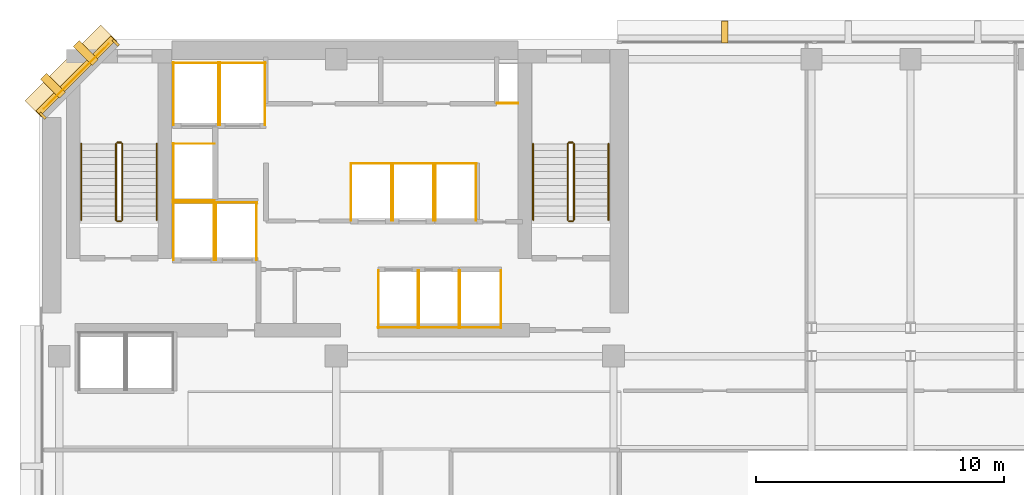
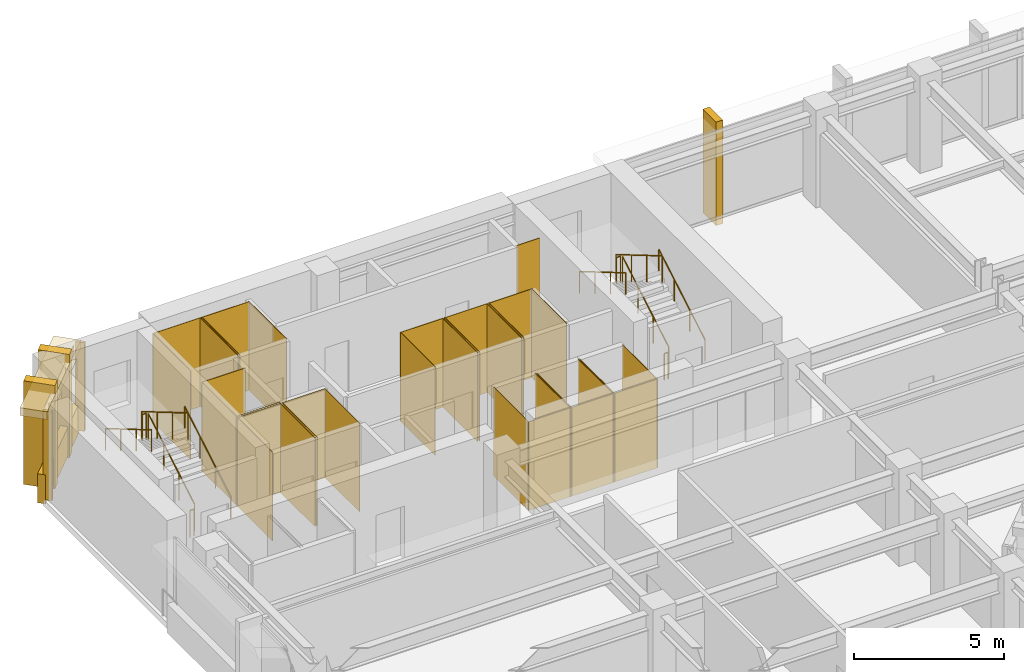
# One storey, part 10 of 11: 42 coverings, 12 railings.
"""IFC4 building model written with IfcOpenShell, lengths in metres."""

import ifcopenshell
import ifcopenshell.guid

model = None  # the IFC model being written
_history = None  # IfcOwnerHistory: only IFC2X3 demands one
_inside = {}  # id of a spatial element -> (the spatial element, [elements in it])
_under = {}  # id of a project, library or spatial element -> (it, [spatial elements below it])
_declared = {}  # id of a project -> (the project, [libraries it declares])
_typed = {}  # id of a type object -> (the type object, [elements of that type])
_made_of = {}  # id of a material, layer set ... -> (it, [elements and type objects made of it])


def new_model(schema):
    """Start an empty IFC model of exactly this schema.

    Asked for "IFC4X3", IfcOpenShell would pick the latest addendum, in which some entities
    have other attributes; the version numbers below select the first issue.
    IFC2X3 requires an IfcOwnerHistory on every rooted entity: one is made here for all.
    """
    global model, _history
    if schema == "IFC4X3":
        model = ifcopenshell.file(schema_version=(4, 3, 0, 0))
    else:
        model = ifcopenshell.file(schema=schema)
    _inside.clear()
    _under.clear()
    _declared.clear()
    _typed.clear()
    _made_of.clear()
    _history = None
    if model.schema == "IFC2X3":
        org = make("IfcOrganization", Name="unknown")
        user = make(
            "IfcPersonAndOrganization",
            ThePerson=make("IfcPerson", FamilyName="unknown"),
            TheOrganization=org,
        )
        app = make(
            "IfcApplication",
            ApplicationDeveloper=org,
            Version="unknown",
            ApplicationFullName="unknown",
            ApplicationIdentifier="unknown",
        )
        _history = make(
            "IfcOwnerHistory",
            OwningUser=user,
            OwningApplication=app,
            ChangeAction="ADDED",
            CreationDate=0,
        )
    return model


def make(cls, **values):
    """One entity of the class cls with the attributes given. An attribute that is None is left unset."""
    return model.create_entity(
        cls, **{name: value for name, value in values.items() if value is not None}
    )


def rooted(cls, **values):
    """An entity with a GlobalId (a new one), such as an element, a storey or a relation."""
    return make(cls, GlobalId=ifcopenshell.guid.new(), OwnerHistory=_history, **values)


def si_unit(unit_type, name, prefix=None):
    """IfcSIUnit, for example si_unit("LENGTHUNIT", "METRE", prefix="MILLI")."""
    return make("IfcSIUnit", UnitType=unit_type, Prefix=prefix, Name=name)


def assignment(units):
    """IfcUnitAssignment: the units of a project."""
    return None if units is None else make("IfcUnitAssignment", Units=units)


def point(xyz):
    """IfcCartesianPoint."""
    return None if xyz is None else make("IfcCartesianPoint", Coordinates=xyz)


def direction(xyz):
    """IfcDirection."""
    return None if xyz is None else make("IfcDirection", DirectionRatios=xyz)


def frame(location, z_axis=None, x_axis=None):
    """IfcAxis2Placement3D, a coordinate frame: its origin and axes. An axis left out is left unset."""
    return make(
        "IfcAxis2Placement3D",
        Location=point(location),
        Axis=direction(z_axis),
        RefDirection=direction(x_axis),
    )


def frame_2d(location, x_axis=None):
    """IfcAxis2Placement2D, a coordinate frame in the plane: its origin and x axis."""
    return make(
        "IfcAxis2Placement2D", Location=point(location), RefDirection=direction(x_axis)
    )


def origin():
    """The frame at (0, 0, 0) with its axes left unset."""
    return frame((0.0, 0.0, 0.0))


def origin_2d():
    """The frame at (0, 0) in the plane with its x axis left unset."""
    return frame_2d((0.0, 0.0))


def place(relative_to, where):
    """IfcLocalPlacement: puts the frame where relative to a parent placement (None: the world)."""
    return make(
        "IfcLocalPlacement", PlacementRelTo=relative_to, RelativePlacement=where
    )


def context(
    kind, dimensions, precision=None, world=None, true_north=None, identifier=None
):
    """IfcGeometricRepresentationContext, for example the 3D "Model" context."""
    return make(
        "IfcGeometricRepresentationContext",
        ContextIdentifier=identifier,
        ContextType=kind,
        CoordinateSpaceDimension=dimensions,
        Precision=precision,
        WorldCoordinateSystem=world,
        TrueNorth=true_north,
    )


def subcontext(parent, identifier, kind, view, scale=None):
    """IfcGeometricRepresentationSubContext, for example "Body" below "Model"."""
    return make(
        "IfcGeometricRepresentationSubContext",
        ContextIdentifier=identifier,
        ContextType=kind,
        ParentContext=parent,
        TargetScale=scale,
        TargetView=view,
    )


def project(units=None, contexts=None):
    """IfcProject with its units and contexts."""
    return rooted(
        "IfcProject",
        Name="project",
        RepresentationContexts=contexts,
        UnitsInContext=assignment(units),
    )


def spatial(cls, under=None, at=None, **own):
    """A site, building, storey or space (cls), placed at a placement, below another one or the project."""
    s = rooted(cls, ObjectPlacement=at, **own)
    if under is not None:
        _under.setdefault(under.id(), (under, []))[1].append(s)
    return s


def polyline(points):
    """IfcPolyline through the points."""
    return make("IfcPolyline", Points=[point(p) for p in points])


def profile(cls, at=None, kind="AREA", **sizes):
    """A parametric profile (cls). Its sizes go by their IFC names, for example OverallWidth=200.0."""
    return make(cls, ProfileType=kind, Position=at, **sizes)


def rectangle(**sizes):
    """IfcRectangleProfileDef."""
    return profile("IfcRectangleProfileDef", **sizes)


def circle(**sizes):
    """IfcCircleProfileDef."""
    return profile("IfcCircleProfileDef", **sizes)


def outline(outer, holes=None, kind="AREA"):
    """IfcArbitraryClosedProfileDef: a profile drawn as a closed curve; with holes, ...WithVoids."""
    if holes is None:
        return make("IfcArbitraryClosedProfileDef", ProfileType=kind, OuterCurve=outer)
    return make(
        "IfcArbitraryProfileDefWithVoids",
        ProfileType=kind,
        OuterCurve=outer,
        InnerCurves=holes,
    )


def extrude(swept, where, along, depth):
    """IfcExtrudedAreaSolid: the profile swept, set in the frame where, extruded along a direction by depth."""
    return make(
        "IfcExtrudedAreaSolid",
        SweptArea=swept,
        Position=where,
        ExtrudedDirection=direction(along),
        Depth=depth,
    )


def shape(context_of_items, identifier, shape_type, items):
    """IfcShapeRepresentation: the items that make up one representation, for example the "Body"."""
    return make(
        "IfcShapeRepresentation",
        ContextOfItems=context_of_items,
        RepresentationIdentifier=identifier,
        RepresentationType=shape_type,
        Items=items,
    )


def material(Name=None, Category=None):
    """IfcMaterial."""
    return make("IfcMaterial", Name=Name, Category=Category)


def layer(
    of_material, thickness, ventilated=None, Name=None, Category=None, Priority=None
):
    """IfcMaterialLayer: one layer of a wall or slab, of a material (None: an air gap)."""
    return make(
        "IfcMaterialLayer",
        Material=of_material,
        LayerThickness=thickness,
        IsVentilated=ventilated,
        Name=Name,
        Category=Category,
        Priority=Priority,
    )


def layer_set(layers, Name=None):
    """IfcMaterialLayerSet."""
    return make("IfcMaterialLayerSet", MaterialLayers=layers, LayerSetName=Name)


def made_of(thing, what):
    """Note that an element or type object is made of a material, layer set ...; save() writes the relation."""
    if what is not None:
        _made_of.setdefault(what.id(), (what, []))[1].append(thing)
    return thing


def type_object(cls, material=None, **own):
    """A type object (cls), such as IfcWallType, which elements share."""
    return made_of(rooted(cls, **own), material)


def element(
    cls,
    number,
    at=None,
    inside=None,
    cuts=None,
    type_object=None,
    material=None,
    context=None,
    identifier="Body",
    shape_type=None,
    held_by="IfcProductDefinitionShape",
    body=None,
    shapes=None,
    **own,
):
    """One element of the class cls, such as IfcWall. Its Tag is "e" and its number.

    at: its placement. inside: the storey or other place that contains it. cuts: it is an
    opening in that element (IfcRelVoidsElement). A single representation is given by context,
    identifier, shape_type and body (its items); several are given by shapes. held_by: the class
    of the entity that holds the representations. save() writes the other relations.
    """
    e = rooted(cls, Tag="e%d" % number, ObjectPlacement=at, **own)
    if body is not None:
        shapes = [shape(context, identifier, shape_type, body)]
    if shapes is not None:
        e.Representation = make(held_by, Representations=shapes)
    if inside is not None:
        _inside.setdefault(inside.id(), (inside, []))[1].append(e)
    if cuts is not None:
        rooted(
            "IfcRelVoidsElement", RelatingBuildingElement=cuts, RelatedOpeningElement=e
        )
    if type_object is not None:
        _typed.setdefault(type_object.id(), (type_object, []))[1].append(e)
    return made_of(e, material)


def aggregate(whole, parts):
    """IfcRelAggregates: a whole, such as a stair, and the parts it consists of."""
    return rooted("IfcRelAggregates", RelatingObject=whole, RelatedObjects=parts)


def save(model, path):
    """Write the relations noted so far, then the file.

    IfcRelAggregates (storeys below a building ...), IfcRelContainedInSpatialStructure (elements
    in a storey), IfcRelDefinesByType, IfcRelAssociatesMaterial and IfcRelDeclares: one each for
    every whole, place, type object, material and project.
    """
    for whole, parts in _under.values():
        aggregate(whole, parts)
    for where, things in _inside.values():
        rooted(
            "IfcRelContainedInSpatialStructure",
            RelatedElements=things,
            RelatingStructure=where,
        )
    for kind, things in _typed.values():
        rooted("IfcRelDefinesByType", RelatedObjects=things, RelatingType=kind)
    for what, things in _made_of.values():
        rooted("IfcRelAssociatesMaterial", RelatedObjects=things, RelatingMaterial=what)
    for by, libraries in _declared.values():
        rooted("IfcRelDeclares", RelatingContext=by, RelatedDefinitions=libraries)
    model.write(path)


model = new_model("IFC4")

# Units and contexts
model_context = context("Model", 3, precision=1e-05, world=origin(), true_north=direction((0.0, 1.0)))
body_context = subcontext(model_context, "Body", "Model", "MODEL_VIEW")
ifc_project = project(units=[si_unit("LENGTHUNIT", "METRE"), si_unit("AREAUNIT", "SQUARE_METRE"), si_unit("VOLUMEUNIT", "CUBIC_METRE"), si_unit("PLANEANGLEUNIT", "RADIAN"), si_unit("MASSUNIT", "GRAM", prefix="KILO")], contexts=[model_context])

# Site, building, storey
site_placement = place(None, origin())
site = spatial("IfcSite", under=ifc_project, at=site_placement, CompositionType="ELEMENT")
building_placement = place(site_placement, origin())
building = spatial("IfcBuilding", under=site, at=building_placement, Name="Kefirva Bronze Tower", CompositionType="ELEMENT")
storey_placement = place(building_placement, frame((0.0, 0.0, 170.610107421875)))
storey = spatial("IfcBuildingStorey", under=building, at=storey_placement, Name="L41", CompositionType="ELEMENT", Elevation=170.610107421875)

# Coverings
ifc_material_1 = material(Name="Bronze anodised aluminium", Category="aluminium")
ifc_layer_1 = layer(ifc_material_1, 0.02001953125, Name="Bronze anodised aluminium")
ifc_layer_set_1 = layer_set([ifc_layer_1], Name="Bronze anodised aluminium")
covering_type_1 = type_object("IfcCoveringType", Name="Anodised Bronze Spandrel Cladding 20mm", PredefinedType="CLADDING", material=ifc_layer_set_1)
covering_1_placement = place(storey_placement, frame((1.492919921875, 44.507080078125, 3.18994140625), z_axis=(0.0, 0.0, 1.0), x_axis=(-0.707106781187, -0.707106781187, 0.0)))
element("IfcCovering", 1, at=covering_1_placement, inside=storey, type_object=covering_type_1, Name="L41 Bronze Spandrel Cladding 5", PredefinedType="CLADDING", context=body_context, shape_type="SweptSolid", body=[
    extrude(rectangle(XDim=3.719482421875, YDim=0.02001953125, at=origin_2d()), origin(), (0.0, 0.0, 1.0), 0.39990234375),
])
for number, where, z_axis, x_axis, name in (
    (2, (3.08837890625, 45.862060546875, 0.0), (0.0, 0.0, 1.0), (-0.707106781187, -0.707106781187, 0.0), "L41 Facade Joint Closure Panel 5S"),
    (3, (0.137939453125, 42.91162109375, 0.0), (0.0, 0.0, 1.0), (-0.707106781187, -0.707106781187, 0.0), "L41 Facade Joint Closure Panel 5E"),
):
    element("IfcCovering", number, at=place(storey_placement, frame(where, z_axis=z_axis, x_axis=x_axis)), inside=storey, type_object=covering_type_1, Name=name, PredefinedType="CLADDING", context=body_context, shape_type="SweptSolid", body=[
        extrude(rectangle(XDim=0.10009765625, YDim=0.320068359375, at=origin_2d()), origin(), (0.0, 0.0, 1.0), 3.610107421875),
    ])
covering_2_placement = place(storey_placement, frame((1.4716796875, 44.5283203125, -0.16015625), z_axis=(0.0, 0.0, 1.0), x_axis=(-0.707106781187, -0.707106781187, 0.0)))
element("IfcCovering", 4, at=covering_2_placement, inside=storey, type_object=covering_type_1, Name="L41 Streamline Horizontal Spandrel Band 9", PredefinedType="CLADDING", context=body_context, shape_type="SweptSolid", body=[
    extrude(rectangle(XDim=4.28271484375, YDim=0.280029296875, at=origin_2d()), origin(), (0.0, 0.0, 1.0), 1.179931640625),
])
covering_3_placement = place(storey_placement, origin())
element("IfcCovering", 5, at=covering_3_placement, inside=storey, type_object=covering_type_1, Name="L41 Lift FF1 Hoistway Liner N", PredefinedType="CLADDING", context=body_context, shape_type="SweptSolid", body=[
    extrude(outline(polyline([(5.39990234375, 39.389892578125), (7.080078125, 39.389892578125), (7.080078125, 39.409912109375), (5.39990234375, 39.409912109375), (5.39990234375, 39.389892578125)])), origin(), (0.0, 0.0, 1.0), 3.60986328125),
])
covering_4_placement = place(storey_placement, origin())
element("IfcCovering", 6, at=covering_4_placement, inside=storey, type_object=covering_type_1, Name="L41 Lift FF1 Hoistway Liner W", PredefinedType="CLADDING", context=body_context, shape_type="SweptSolid", body=[
    extrude(outline(polyline([(5.409912109375, 37.080078125), (5.429931640625, 37.080078125), (5.429931640625, 39.419921875), (5.409912109375, 39.419921875), (5.409912109375, 37.080078125)])), origin(), (0.0, 0.0, 1.0), 3.60986328125),
])
covering_5_placement = place(storey_placement, origin())
element("IfcCovering", 7, at=covering_5_placement, inside=storey, type_object=covering_type_1, Name="L41 Lift FF1 Hoistway Liner E", PredefinedType="CLADDING", context=body_context, shape_type="SweptSolid", body=[
    extrude(outline(polyline([(7.050048828125, 37.080078125), (7.070068359375, 37.080078125), (7.070068359375, 39.419921875), (7.050048828125, 39.419921875), (7.050048828125, 37.080078125)])), origin(), (0.0, 0.0, 1.0), 3.60986328125),
])
covering_6_placement = place(storey_placement, origin())
element("IfcCovering", 8, at=covering_6_placement, inside=storey, type_object=covering_type_1, Name="L41 Lift FF2 Hoistway Liner N", PredefinedType="CLADDING", context=body_context, shape_type="SweptSolid", body=[
    extrude(outline(polyline([(7.1201171875, 39.389892578125), (8.800048828125, 39.389892578125), (8.800048828125, 39.409912109375), (7.1201171875, 39.409912109375), (7.1201171875, 39.389892578125)])), origin(), (0.0, 0.0, 1.0), 3.60986328125),
])
covering_7_placement = place(storey_placement, origin())
element("IfcCovering", 9, at=covering_7_placement, inside=storey, type_object=covering_type_1, Name="L41 Lift FF2 Hoistway Liner W", PredefinedType="CLADDING", context=body_context, shape_type="SweptSolid", body=[
    extrude(outline(polyline([(7.1298828125, 37.080078125), (7.14990234375, 37.080078125), (7.14990234375, 39.419921875), (7.1298828125, 39.419921875), (7.1298828125, 37.080078125)])), origin(), (0.0, 0.0, 1.0), 3.60986328125),
])
covering_8_placement = place(storey_placement, origin())
element("IfcCovering", 10, at=covering_8_placement, inside=storey, type_object=covering_type_1, Name="L41 Lift FF2 Hoistway Liner E", PredefinedType="CLADDING", context=body_context, shape_type="SweptSolid", body=[
    extrude(outline(polyline([(8.77001953125, 37.080078125), (8.7900390625, 37.080078125), (8.7900390625, 39.419921875), (8.77001953125, 39.419921875), (8.77001953125, 37.080078125)])), origin(), (0.0, 0.0, 1.0), 3.60986328125),
])
covering_9_placement = place(storey_placement, origin())
element("IfcCovering", 11, at=covering_9_placement, inside=storey, type_object=covering_type_1, Name="L41 Lift SV1 Hoistway Liner N", PredefinedType="CLADDING", context=body_context, shape_type="SweptSolid", body=[
    extrude(outline(polyline([(5.39990234375, 45.0400390625), (7.260009765625, 45.0400390625), (7.260009765625, 45.06005859375), (5.39990234375, 45.06005859375), (5.39990234375, 45.0400390625)])), origin(), (0.0, 0.0, 1.0), 3.60986328125),
])
covering_10_placement = place(storey_placement, origin())
element("IfcCovering", 12, at=covering_10_placement, inside=storey, type_object=covering_type_1, Name="L41 Lift SV1 Hoistway Liner W", PredefinedType="CLADDING", context=body_context, shape_type="SweptSolid", body=[
    extrude(outline(polyline([(5.409912109375, 42.530029296875), (5.429931640625, 42.530029296875), (5.429931640625, 45.070068359375), (5.409912109375, 45.070068359375), (5.409912109375, 42.530029296875)])), origin(), (0.0, 0.0, 1.0), 3.60986328125),
])
covering_11_placement = place(storey_placement, origin())
element("IfcCovering", 13, at=covering_11_placement, inside=storey, type_object=covering_type_1, Name="L41 Lift SV1 Hoistway Liner E", PredefinedType="CLADDING", context=body_context, shape_type="SweptSolid", body=[
    extrude(outline(polyline([(7.22998046875, 42.530029296875), (7.25, 42.530029296875), (7.25, 45.070068359375), (7.22998046875, 45.070068359375), (7.22998046875, 42.530029296875)])), origin(), (0.0, 0.0, 1.0), 3.60986328125),
])
covering_12_placement = place(storey_placement, origin())
element("IfcCovering", 14, at=covering_12_placement, inside=storey, type_object=covering_type_1, Name="L41 Lift SV2 Hoistway Liner N", PredefinedType="CLADDING", context=body_context, shape_type="SweptSolid", body=[
    extrude(outline(polyline([(7.280029296875, 45.0400390625), (9.139892578125, 45.0400390625), (9.139892578125, 45.06005859375), (7.280029296875, 45.06005859375), (7.280029296875, 45.0400390625)])), origin(), (0.0, 0.0, 1.0), 3.60986328125),
])
covering_13_placement = place(storey_placement, origin())
element("IfcCovering", 15, at=covering_13_placement, inside=storey, type_object=covering_type_1, Name="L41 Lift SV2 Hoistway Liner W", PredefinedType="CLADDING", context=body_context, shape_type="SweptSolid", body=[
    extrude(outline(polyline([(7.2900390625, 42.530029296875), (7.31005859375, 42.530029296875), (7.31005859375, 45.070068359375), (7.2900390625, 45.070068359375), (7.2900390625, 42.530029296875)])), origin(), (0.0, 0.0, 1.0), 3.60986328125),
])
covering_14_placement = place(storey_placement, origin())
element("IfcCovering", 16, at=covering_14_placement, inside=storey, type_object=covering_type_1, Name="L41 Lift SV2 Hoistway Liner E", PredefinedType="CLADDING", context=body_context, shape_type="SweptSolid", body=[
    extrude(outline(polyline([(9.110107421875, 42.530029296875), (9.1298828125, 42.530029296875), (9.1298828125, 45.070068359375), (9.110107421875, 45.070068359375), (9.110107421875, 42.530029296875)])), origin(), (0.0, 0.0, 1.0), 3.60986328125),
])
covering_15_placement = place(storey_placement, origin())
element("IfcCovering", 17, at=covering_15_placement, inside=storey, type_object=covering_type_1, Name="L41 Lift MP1 Hoistway Liner S", PredefinedType="CLADDING", context=body_context, shape_type="SweptSolid", body=[
    extrude(outline(polyline([(13.679931640625, 34.340087890625), (15.320068359375, 34.340087890625), (15.320068359375, 34.360107421875), (13.679931640625, 34.360107421875), (13.679931640625, 34.340087890625)])), origin(), (0.0, 0.0, 1.0), 3.60986328125),
])
covering_16_placement = place(storey_placement, origin())
element("IfcCovering", 18, at=covering_16_placement, inside=storey, type_object=covering_type_1, Name="L41 Lift MP1 Hoistway Liner W", PredefinedType="CLADDING", context=body_context, shape_type="SweptSolid", body=[
    extrude(outline(polyline([(13.68994140625, 34.330078125), (13.7099609375, 34.330078125), (13.7099609375, 36.669921875), (13.68994140625, 36.669921875), (13.68994140625, 34.330078125)])), origin(), (0.0, 0.0, 1.0), 3.60986328125),
])
covering_17_placement = place(storey_placement, origin())
element("IfcCovering", 19, at=covering_17_placement, inside=storey, type_object=covering_type_1, Name="L41 Lift MP1 Hoistway Liner E", PredefinedType="CLADDING", context=body_context, shape_type="SweptSolid", body=[
    extrude(outline(polyline([(15.2900390625, 34.330078125), (15.31005859375, 34.330078125), (15.31005859375, 36.669921875), (15.2900390625, 36.669921875), (15.2900390625, 34.330078125)])), origin(), (0.0, 0.0, 1.0), 3.60986328125),
])
covering_18_placement = place(storey_placement, origin())
element("IfcCovering", 20, at=covering_18_placement, inside=storey, type_object=covering_type_1, Name="L41 Lift MP2 Hoistway Liner S", PredefinedType="CLADDING", context=body_context, shape_type="SweptSolid", body=[
    extrude(outline(polyline([(15.330078125, 34.340087890625), (16.969970703125, 34.340087890625), (16.969970703125, 34.360107421875), (15.330078125, 34.360107421875), (15.330078125, 34.340087890625)])), origin(), (0.0, 0.0, 1.0), 3.60986328125),
])
covering_19_placement = place(storey_placement, origin())
element("IfcCovering", 21, at=covering_19_placement, inside=storey, type_object=covering_type_1, Name="L41 Lift MP2 Hoistway Liner W", PredefinedType="CLADDING", context=body_context, shape_type="SweptSolid", body=[
    extrude(outline(polyline([(15.340087890625, 34.330078125), (15.360107421875, 34.330078125), (15.360107421875, 36.669921875), (15.340087890625, 36.669921875), (15.340087890625, 34.330078125)])), origin(), (0.0, 0.0, 1.0), 3.60986328125),
])
covering_20_placement = place(storey_placement, origin())
element("IfcCovering", 22, at=covering_20_placement, inside=storey, type_object=covering_type_1, Name="L41 Lift MP2 Hoistway Liner E", PredefinedType="CLADDING", context=body_context, shape_type="SweptSolid", body=[
    extrude(outline(polyline([(16.93994140625, 34.330078125), (16.9599609375, 34.330078125), (16.9599609375, 36.669921875), (16.93994140625, 36.669921875), (16.93994140625, 34.330078125)])), origin(), (0.0, 0.0, 1.0), 3.60986328125),
])
covering_21_placement = place(storey_placement, origin())
element("IfcCovering", 23, at=covering_21_placement, inside=storey, type_object=covering_type_1, Name="L41 Lift MP3 Hoistway Liner N", PredefinedType="CLADDING", context=body_context, shape_type="SweptSolid", body=[
    extrude(outline(polyline([(12.580078125, 40.969970703125), (14.25, 40.969970703125), (14.25, 40.989990234375), (12.580078125, 40.989990234375), (12.580078125, 40.969970703125)])), origin(), (0.0, 0.0, 1.0), 3.60986328125),
])
covering_22_placement = place(storey_placement, origin())
element("IfcCovering", 24, at=covering_22_placement, inside=storey, type_object=covering_type_1, Name="L41 Lift MP3 Hoistway Liner W", PredefinedType="CLADDING", context=body_context, shape_type="SweptSolid", body=[
    extrude(outline(polyline([(12.590087890625, 38.659912109375), (12.610107421875, 38.659912109375), (12.610107421875, 41.0), (12.590087890625, 41.0), (12.590087890625, 38.659912109375)])), origin(), (0.0, 0.0, 1.0), 3.60986328125),
])
covering_23_placement = place(storey_placement, origin())
element("IfcCovering", 25, at=covering_23_placement, inside=storey, type_object=covering_type_1, Name="L41 Lift MP3 Hoistway Liner E", PredefinedType="CLADDING", context=body_context, shape_type="SweptSolid", body=[
    extrude(outline(polyline([(14.219970703125, 38.659912109375), (14.239990234375, 38.659912109375), (14.239990234375, 41.0), (14.219970703125, 41.0), (14.219970703125, 38.659912109375)])), origin(), (0.0, 0.0, 1.0), 3.60986328125),
])
covering_24_placement = place(storey_placement, origin())
element("IfcCovering", 26, at=covering_24_placement, inside=storey, type_object=covering_type_1, Name="L41 Lift MP4 Hoistway Liner N", PredefinedType="CLADDING", context=body_context, shape_type="SweptSolid", body=[
    extrude(outline(polyline([(14.280029296875, 40.969970703125), (15.949951171875, 40.969970703125), (15.949951171875, 40.989990234375), (14.280029296875, 40.989990234375), (14.280029296875, 40.969970703125)])), origin(), (0.0, 0.0, 1.0), 3.60986328125),
])
covering_25_placement = place(storey_placement, origin())
element("IfcCovering", 27, at=covering_25_placement, inside=storey, type_object=covering_type_1, Name="L41 Lift MP4 Hoistway Liner W", PredefinedType="CLADDING", context=body_context, shape_type="SweptSolid", body=[
    extrude(outline(polyline([(14.2900390625, 38.659912109375), (14.31005859375, 38.659912109375), (14.31005859375, 41.0), (14.2900390625, 41.0), (14.2900390625, 38.659912109375)])), origin(), (0.0, 0.0, 1.0), 3.60986328125),
])
covering_26_placement = place(storey_placement, origin())
element("IfcCovering", 28, at=covering_26_placement, inside=storey, type_object=covering_type_1, Name="L41 Lift MP4 Hoistway Liner E", PredefinedType="CLADDING", context=body_context, shape_type="SweptSolid", body=[
    extrude(outline(polyline([(15.919921875, 38.659912109375), (15.93994140625, 38.659912109375), (15.93994140625, 41.0), (15.919921875, 41.0), (15.919921875, 38.659912109375)])), origin(), (0.0, 0.0, 1.0), 3.60986328125),
])
covering_27_placement = place(storey_placement, origin())
element("IfcCovering", 29, at=covering_27_placement, inside=storey, type_object=covering_type_1, Name="L41 Lift HP1 Hoistway Liner S", PredefinedType="CLADDING", context=body_context, shape_type="SweptSolid", body=[
    extrude(outline(polyline([(16.97998046875, 34.340087890625), (18.669921875, 34.340087890625), (18.669921875, 34.360107421875), (16.97998046875, 34.360107421875), (16.97998046875, 34.340087890625)])), origin(), (0.0, 0.0, 1.0), 3.60986328125),
])
covering_28_placement = place(storey_placement, origin())
element("IfcCovering", 30, at=covering_28_placement, inside=storey, type_object=covering_type_1, Name="L41 Lift HP1 Hoistway Liner W", PredefinedType="CLADDING", context=body_context, shape_type="SweptSolid", body=[
    extrude(outline(polyline([(16.989990234375, 34.330078125), (17.010009765625, 34.330078125), (17.010009765625, 36.669921875), (16.989990234375, 36.669921875), (16.989990234375, 34.330078125)])), origin(), (0.0, 0.0, 1.0), 3.60986328125),
])
covering_29_placement = place(storey_placement, origin())
element("IfcCovering", 31, at=covering_29_placement, inside=storey, type_object=covering_type_1, Name="L41 Lift HP1 Hoistway Liner E", PredefinedType="CLADDING", context=body_context, shape_type="SweptSolid", body=[
    extrude(outline(polyline([(18.639892578125, 34.330078125), (18.659912109375, 34.330078125), (18.659912109375, 36.669921875), (18.639892578125, 36.669921875), (18.639892578125, 34.330078125)])), origin(), (0.0, 0.0, 1.0), 3.60986328125),
])
covering_30_placement = place(storey_placement, origin())
element("IfcCovering", 32, at=covering_30_placement, inside=storey, type_object=covering_type_1, Name="L41 Lift HP2 Hoistway Liner N", PredefinedType="CLADDING", context=body_context, shape_type="SweptSolid", body=[
    extrude(outline(polyline([(15.97998046875, 40.969970703125), (17.669921875, 40.969970703125), (17.669921875, 40.989990234375), (15.97998046875, 40.989990234375), (15.97998046875, 40.969970703125)])), origin(), (0.0, 0.0, 1.0), 3.60986328125),
])
covering_31_placement = place(storey_placement, origin())
element("IfcCovering", 33, at=covering_31_placement, inside=storey, type_object=covering_type_1, Name="L41 Lift HP2 Hoistway Liner W", PredefinedType="CLADDING", context=body_context, shape_type="SweptSolid", body=[
    extrude(outline(polyline([(15.989990234375, 38.659912109375), (16.010009765625, 38.659912109375), (16.010009765625, 41.0), (15.989990234375, 41.0), (15.989990234375, 38.659912109375)])), origin(), (0.0, 0.0, 1.0), 3.60986328125),
])
covering_32_placement = place(storey_placement, origin())
element("IfcCovering", 34, at=covering_32_placement, inside=storey, type_object=covering_type_1, Name="L41 Lift HP2 Hoistway Liner E", PredefinedType="CLADDING", context=body_context, shape_type="SweptSolid", body=[
    extrude(outline(polyline([(17.639892578125, 38.659912109375), (17.659912109375, 38.659912109375), (17.659912109375, 41.0), (17.639892578125, 41.0), (17.639892578125, 38.659912109375)])), origin(), (0.0, 0.0, 1.0), 3.60986328125),
])
covering_33_placement = place(storey_placement, origin())
element("IfcCovering", 35, at=covering_33_placement, inside=storey, type_object=covering_type_1, Name="L41 Lift HP3 Hoistway Liner N", PredefinedType="CLADDING", context=body_context, shape_type="SweptSolid", body=[
    extrude(outline(polyline([(5.39990234375, 41.77001953125), (7.080078125, 41.77001953125), (7.080078125, 41.7900390625), (5.39990234375, 41.7900390625), (5.39990234375, 41.77001953125)])), origin(), (0.0, 0.0, 1.0), 3.60986328125),
])
covering_34_placement = place(storey_placement, origin())
element("IfcCovering", 36, at=covering_34_placement, inside=storey, type_object=covering_type_1, Name="L41 Lift HP3 Hoistway Liner S", PredefinedType="CLADDING", context=body_context, shape_type="SweptSolid", body=[
    extrude(outline(polyline([(5.39990234375, 39.469970703125), (7.080078125, 39.469970703125), (7.080078125, 39.489990234375), (5.39990234375, 39.489990234375), (5.39990234375, 39.469970703125)])), origin(), (0.0, 0.0, 1.0), 3.60986328125),
])
covering_35_placement = place(storey_placement, origin())
element("IfcCovering", 37, at=covering_35_placement, inside=storey, type_object=covering_type_1, Name="L41 Lift HP3 Hoistway Liner W", PredefinedType="CLADDING", context=body_context, shape_type="SweptSolid", body=[
    extrude(outline(polyline([(5.409912109375, 39.4599609375), (5.429931640625, 39.4599609375), (5.429931640625, 41.800048828125), (5.409912109375, 41.800048828125), (5.409912109375, 39.4599609375)])), origin(), (0.0, 0.0, 1.0), 3.60986328125),
])
covering_36_placement = place(storey_placement, origin())
element("IfcCovering", 38, at=covering_36_placement, inside=storey, type_object=covering_type_1, Name="L41 Core MEP Riser Shaft Liner South", PredefinedType="CLADDING", context=body_context, shape_type="SweptSolid", body=[
    extrude(outline(polyline([(18.47998046875, 43.39990234375), (19.360107421875, 43.39990234375), (19.360107421875, 43.429931640625), (18.47998046875, 43.429931640625), (18.47998046875, 43.39990234375)])), origin(), (0.0, 0.0, 1.0), 3.60986328125),
])

# Railings
ifc_material_2 = material(Name="Stainless steel 316", Category="steel")
railing_type_1 = type_object("IfcRailingType", Name="Interior Stair Guardrail 1100mm", PredefinedType="GUARDRAIL", material=ifc_material_2)
railing_1_placement = place(storey_placement, frame((3.35009765625, 38.699951171875, 0.164794921875)))
element("IfcRailing", 39, at=railing_1_placement, inside=storey, type_object=railing_type_1, Name="L41 ST-1 stair guard 1", PredefinedType="GUARDRAIL", context=body_context, shape_type="SweptSolid", body=[
    extrude(circle(Radius=0.02392578125, at=origin_2d()), frame((0.0, 0.0, 1.076171875), z_axis=(0.0, 0.861521393093, 0.507721271215), x_axis=(-1.0, 0.0, 0.0)), (0.0, 0.0, 1.0), 3.5751953125),
    extrude(circle(Radius=0.02099609375, at=origin_2d()), origin(), (0.0, 0.0, 1.0), 1.052001953125),
    extrude(circle(Radius=0.02099609375, at=origin_2d()), frame((0.0, 1.026611328125, 0.60498046875)), (0.0, 0.0, 1.0), 1.052001953125),
    extrude(circle(Radius=0.02099609375, at=origin_2d()), frame((0.0, 2.053466796875, 1.210205078125)), (0.0, 0.0, 1.0), 1.052001953125),
    extrude(circle(Radius=0.02099609375, at=origin_2d()), frame((0.0, 3.080078125, 1.815185546875)), (0.0, 0.0, 1.0), 1.052001953125),
])
railing_2_placement = place(storey_placement, frame((3.300048828125, 41.830078125, 1.97998046875)))
element("IfcRailing", 40, at=railing_2_placement, inside=storey, type_object=railing_type_1, Name="L41 ST-1 stair guard 2", PredefinedType="GUARDRAIL", context=body_context, shape_type="SweptSolid", body=[
    extrude(circle(Radius=0.02392578125, at=origin_2d()), frame((0.0, 0.0, 1.076171875), z_axis=(-1.0, 0.0, 0.0), x_axis=(0.0, -1.0, 0.0)), (0.0, 0.0, 1.0), 0.150146484375),
    extrude(circle(Radius=0.02099609375, at=origin_2d()), origin(), (0.0, 0.0, 1.0), 1.052001953125),
    extrude(circle(Radius=0.02099609375, at=origin_2d()), frame((-0.150146484375, 0.0, 0.0)), (0.0, 0.0, 1.0), 1.052001953125),
])
railing_3_placement = place(storey_placement, frame((3.10009765625, 41.780029296875, 2.144775390625)))
element("IfcRailing", 41, at=railing_3_placement, inside=storey, type_object=railing_type_1, Name="L41 ST-1 stair guard 3", PredefinedType="GUARDRAIL", context=body_context, shape_type="SweptSolid", body=[
    extrude(circle(Radius=0.02392578125, at=origin_2d()), frame((0.0, 0.0, 1.076171875), z_axis=(0.0, -0.861521393093, 0.507721271215), x_axis=(1.0, 0.0, 0.0)), (0.0, 0.0, 1.0), 3.5751953125),
    extrude(circle(Radius=0.02099609375, at=origin_2d()), origin(), (0.0, 0.0, 1.0), 1.052001953125),
    extrude(circle(Radius=0.02099609375, at=origin_2d()), frame((0.0, -1.026611328125, 0.60498046875)), (0.0, 0.0, 1.0), 1.052001953125),
    extrude(circle(Radius=0.02099609375, at=origin_2d()), frame((0.0, -2.053466796875, 1.210205078125)), (0.0, 0.0, 1.0), 1.052001953125),
    extrude(circle(Radius=0.02099609375, at=origin_2d()), frame((0.0, -3.080078125, 1.815185546875)), (0.0, 0.0, 1.0), 1.052001953125),
])
railing_4_placement = place(storey_placement, frame((3.300048828125, 38.64990234375, 0.0)))
element("IfcRailing", 42, at=railing_4_placement, inside=storey, type_object=railing_type_1, Name="L41 ST-1 stair guard 4", PredefinedType="GUARDRAIL", context=body_context, shape_type="SweptSolid", body=[
    extrude(circle(Radius=0.02392578125, at=origin_2d()), frame((0.0, 0.0, 1.076171875), z_axis=(-1.0, 0.0, 0.0), x_axis=(0.0, -1.0, 0.0)), (0.0, 0.0, 1.0), 0.150146484375),
    extrude(circle(Radius=0.02099609375, at=origin_2d()), origin(), (0.0, 0.0, 1.0), 1.052001953125),
    extrude(circle(Radius=0.02099609375, at=origin_2d()), frame((-0.150146484375, 0.0, 0.0)), (0.0, 0.0, 1.0), 1.052001953125),
])
railing_5_placement = place(storey_placement, frame((21.60009765625, 38.699951171875, 0.164794921875)))
element("IfcRailing", 43, at=railing_5_placement, inside=storey, type_object=railing_type_1, Name="L41 ST-2 stair guard 1", PredefinedType="GUARDRAIL", context=body_context, shape_type="SweptSolid", body=[
    extrude(circle(Radius=0.02392578125, at=origin_2d()), frame((0.0, 0.0, 1.076171875), z_axis=(0.0, 0.861521393093, 0.507721271215), x_axis=(-1.0, 0.0, 0.0)), (0.0, 0.0, 1.0), 3.5751953125),
    extrude(circle(Radius=0.02099609375, at=origin_2d()), origin(), (0.0, 0.0, 1.0), 1.052001953125),
    extrude(circle(Radius=0.02099609375, at=origin_2d()), frame((0.0, 1.026611328125, 0.60498046875)), (0.0, 0.0, 1.0), 1.052001953125),
    extrude(circle(Radius=0.02099609375, at=origin_2d()), frame((0.0, 2.053466796875, 1.210205078125)), (0.0, 0.0, 1.0), 1.052001953125),
    extrude(circle(Radius=0.02099609375, at=origin_2d()), frame((0.0, 3.080078125, 1.815185546875)), (0.0, 0.0, 1.0), 1.052001953125),
])
railing_6_placement = place(storey_placement, frame((21.550048828125, 41.830078125, 1.97998046875)))
element("IfcRailing", 44, at=railing_6_placement, inside=storey, type_object=railing_type_1, Name="L41 ST-2 stair guard 2", PredefinedType="GUARDRAIL", context=body_context, shape_type="SweptSolid", body=[
    extrude(circle(Radius=0.02392578125, at=origin_2d()), frame((0.0, 0.0, 1.076171875), z_axis=(-1.0, 0.0, 0.0), x_axis=(0.0, -1.0, 0.0)), (0.0, 0.0, 1.0), 0.150146484375),
    extrude(circle(Radius=0.02099609375, at=origin_2d()), origin(), (0.0, 0.0, 1.0), 1.052001953125),
    extrude(circle(Radius=0.02099609375, at=origin_2d()), frame((-0.150146484375, 0.0, 0.0)), (0.0, 0.0, 1.0), 1.052001953125),
])
railing_7_placement = place(storey_placement, frame((21.35009765625, 41.780029296875, 2.144775390625)))
element("IfcRailing", 45, at=railing_7_placement, inside=storey, type_object=railing_type_1, Name="L41 ST-2 stair guard 3", PredefinedType="GUARDRAIL", context=body_context, shape_type="SweptSolid", body=[
    extrude(circle(Radius=0.02392578125, at=origin_2d()), frame((0.0, 0.0, 1.076171875), z_axis=(0.0, -0.861521393093, 0.507721271215), x_axis=(1.0, 0.0, 0.0)), (0.0, 0.0, 1.0), 3.5751953125),
    extrude(circle(Radius=0.02099609375, at=origin_2d()), origin(), (0.0, 0.0, 1.0), 1.052001953125),
    extrude(circle(Radius=0.02099609375, at=origin_2d()), frame((0.0, -1.026611328125, 0.60498046875)), (0.0, 0.0, 1.0), 1.052001953125),
    extrude(circle(Radius=0.02099609375, at=origin_2d()), frame((0.0, -2.053466796875, 1.210205078125)), (0.0, 0.0, 1.0), 1.052001953125),
    extrude(circle(Radius=0.02099609375, at=origin_2d()), frame((0.0, -3.080078125, 1.815185546875)), (0.0, 0.0, 1.0), 1.052001953125),
])
railing_8_placement = place(storey_placement, frame((21.550048828125, 38.64990234375, 0.0)))
element("IfcRailing", 46, at=railing_8_placement, inside=storey, type_object=railing_type_1, Name="L41 ST-2 stair guard 4", PredefinedType="GUARDRAIL", context=body_context, shape_type="SweptSolid", body=[
    extrude(circle(Radius=0.02392578125, at=origin_2d()), frame((0.0, 0.0, 1.076171875), z_axis=(-1.0, 0.0, 0.0), x_axis=(0.0, -1.0, 0.0)), (0.0, 0.0, 1.0), 0.150146484375),
    extrude(circle(Radius=0.02099609375, at=origin_2d()), origin(), (0.0, 0.0, 1.0), 1.052001953125),
    extrude(circle(Radius=0.02099609375, at=origin_2d()), frame((-0.150146484375, 0.0, 0.0)), (0.0, 0.0, 1.0), 1.052001953125),
])
railing_type_2 = type_object("IfcRailingType", Name="Stair Pitch Handrail 900mm", PredefinedType="HANDRAIL", material=ifc_material_2)
railing_9_placement = place(storey_placement, frame((4.75, 38.699951171875, 0.164794921875)))
element("IfcRailing", 47, at=railing_9_placement, inside=storey, type_object=railing_type_2, Name="L41 ST-1 stair handrail 1", PredefinedType="HANDRAIL", context=body_context, shape_type="SweptSolid", body=[
    extrude(circle(Radius=0.02392578125, at=origin_2d()), frame((0.0, 0.0, 0.8759765625), z_axis=(0.0, 0.861521393093, 0.507721271215), x_axis=(-1.0, 0.0, 0.0)), (0.0, 0.0, 1.0), 3.5751953125),
    extrude(circle(Radius=0.02099609375, at=origin_2d()), origin(), (0.0, 0.0, 1.0), 0.851806640625),
    extrude(circle(Radius=0.02099609375, at=origin_2d()), frame((0.0, 1.026611328125, 0.60498046875)), (0.0, 0.0, 1.0), 0.851806640625),
    extrude(circle(Radius=0.02099609375, at=origin_2d()), frame((0.0, 2.053466796875, 1.210205078125)), (0.0, 0.0, 1.0), 0.851806640625),
    extrude(circle(Radius=0.02099609375, at=origin_2d()), frame((0.0, 3.080078125, 1.815185546875)), (0.0, 0.0, 1.0), 0.851806640625),
])
railing_10_placement = place(storey_placement, frame((1.699951171875, 41.780029296875, 2.144775390625)))
element("IfcRailing", 48, at=railing_10_placement, inside=storey, type_object=railing_type_2, Name="L41 ST-1 stair handrail 2", PredefinedType="HANDRAIL", context=body_context, shape_type="SweptSolid", body=[
    extrude(circle(Radius=0.02392578125, at=origin_2d()), frame((0.0, 0.0, 0.8759765625), z_axis=(0.0, -0.861521393093, 0.507721271215), x_axis=(1.0, 0.0, 0.0)), (0.0, 0.0, 1.0), 3.5751953125),
    extrude(circle(Radius=0.02099609375, at=origin_2d()), origin(), (0.0, 0.0, 1.0), 0.851806640625),
    extrude(circle(Radius=0.02099609375, at=origin_2d()), frame((0.0, -1.026611328125, 0.60498046875)), (0.0, 0.0, 1.0), 0.851806640625),
    extrude(circle(Radius=0.02099609375, at=origin_2d()), frame((0.0, -2.053466796875, 1.210205078125)), (0.0, 0.0, 1.0), 0.851806640625),
    extrude(circle(Radius=0.02099609375, at=origin_2d()), frame((0.0, -3.080078125, 1.815185546875)), (0.0, 0.0, 1.0), 0.851806640625),
])
railing_11_placement = place(storey_placement, frame((23.0, 38.699951171875, 0.164794921875)))
element("IfcRailing", 49, at=railing_11_placement, inside=storey, type_object=railing_type_2, Name="L41 ST-2 stair handrail 1", PredefinedType="HANDRAIL", context=body_context, shape_type="SweptSolid", body=[
    extrude(circle(Radius=0.02392578125, at=origin_2d()), frame((0.0, 0.0, 0.8759765625), z_axis=(0.0, 0.861521393093, 0.507721271215), x_axis=(-1.0, 0.0, 0.0)), (0.0, 0.0, 1.0), 3.5751953125),
    extrude(circle(Radius=0.02099609375, at=origin_2d()), origin(), (0.0, 0.0, 1.0), 0.851806640625),
    extrude(circle(Radius=0.02099609375, at=origin_2d()), frame((0.0, 1.026611328125, 0.60498046875)), (0.0, 0.0, 1.0), 0.851806640625),
    extrude(circle(Radius=0.02099609375, at=origin_2d()), frame((0.0, 2.053466796875, 1.210205078125)), (0.0, 0.0, 1.0), 0.851806640625),
    extrude(circle(Radius=0.02099609375, at=origin_2d()), frame((0.0, 3.080078125, 1.815185546875)), (0.0, 0.0, 1.0), 0.851806640625),
])
railing_12_placement = place(storey_placement, frame((19.949951171875, 41.780029296875, 2.144775390625)))
element("IfcRailing", 50, at=railing_12_placement, inside=storey, type_object=railing_type_2, Name="L41 ST-2 stair handrail 2", PredefinedType="HANDRAIL", context=body_context, shape_type="SweptSolid", body=[
    extrude(circle(Radius=0.02392578125, at=origin_2d()), frame((0.0, 0.0, 0.8759765625), z_axis=(0.0, -0.861521393093, 0.507721271215), x_axis=(1.0, 0.0, 0.0)), (0.0, 0.0, 1.0), 3.5751953125),
    extrude(circle(Radius=0.02099609375, at=origin_2d()), origin(), (0.0, 0.0, 1.0), 0.851806640625),
    extrude(circle(Radius=0.02099609375, at=origin_2d()), frame((0.0, -1.026611328125, 0.60498046875)), (0.0, 0.0, 1.0), 0.851806640625),
    extrude(circle(Radius=0.02099609375, at=origin_2d()), frame((0.0, -2.053466796875, 1.210205078125)), (0.0, 0.0, 1.0), 0.851806640625),
    extrude(circle(Radius=0.02099609375, at=origin_2d()), frame((0.0, -3.080078125, 1.815185546875)), (0.0, 0.0, 1.0), 0.851806640625),
])

# Coverings
ifc_layer_2 = layer(ifc_material_1, 0.179931640625, Name="Bronze anodised aluminium")
ifc_layer_set_2 = layer_set([ifc_layer_2], Name="Bronze anodised aluminium")
covering_type_2 = type_object("IfcCoveringType", Name="Streamline Bronze Sunshade Eyebrow Cladding 180mm", PredefinedType="CLADDING", material=ifc_layer_set_2)
covering_37_placement = place(storey_placement, frame((1.28076171875, 44.71923828125, 3.2900390625), z_axis=(0.0, 0.0, 1.0), x_axis=(-0.707106781187, -0.707106781187, 0.0)))
element("IfcCovering", 51, at=covering_37_placement, inside=storey, type_object=covering_type_2, Name="L41 Streamline Bronze Sunshade Eyebrow 9", PredefinedType="CLADDING", context=body_context, shape_type="SweptSolid", body=[
    extrude(rectangle(XDim=4.322509765625, YDim=0.93994140625, at=origin_2d()), origin(), (0.0, 0.0, 1.0), 0.320068359375),
])
ifc_layer_3 = layer(ifc_material_1, 0.260009765625, Name="Bronze anodised aluminium")
ifc_layer_set_3 = layer_set([ifc_layer_3], Name="Bronze anodised aluminium")
covering_type_3 = type_object("IfcCoveringType", Name="Unbroken Bronze Buttress Fin Cladding 260mm", PredefinedType="CLADDING", material=ifc_layer_set_3)
covering_38_placement = place(storey_placement, frame((27.68798828125, 46.300048828125, -0.25), z_axis=(0.0, 0.0, 1.0), x_axis=(-1.0, 0.0, 0.0)))
element("IfcCovering", 52, at=covering_38_placement, inside=storey, type_object=covering_type_3, Name="L41 Unbroken Vertical Bronze Rib Fin 20", PredefinedType="CLADDING", context=body_context, shape_type="SweptSolid", body=[
    extrude(rectangle(XDim=0.260009765625, YDim=0.8798828125, at=origin_2d()), origin(), (0.0, 0.0, 1.0), 4.2099609375),
])
for number, where, z_axis, x_axis, name in (
    (53, (1.877197265625, 45.44287109375, -0.25), (0.0, 0.0, 1.0), (-0.707106781187, -0.707106781187, 0.0), "L41 Chamfered Corner Buttress Fin Cladding 21"),
    (54, (0.55712890625, 44.122802734375, -0.25), (0.0, 0.0, 1.0), (-0.707106781187, -0.707106781187, 0.0), "L41 Chamfered Corner Buttress Fin Cladding 22"),
):
    element("IfcCovering", number, at=place(storey_placement, frame(where, z_axis=z_axis, x_axis=x_axis)), inside=storey, type_object=covering_type_3, Name=name, PredefinedType="CLADDING", context=body_context, shape_type="SweptSolid", body=[
        extrude(rectangle(XDim=0.340087890625, YDim=1.080078125, at=origin_2d()), origin(), (0.0, 0.0, 1.0), 4.2099609375),
    ])

save(model, "model.ifc")
